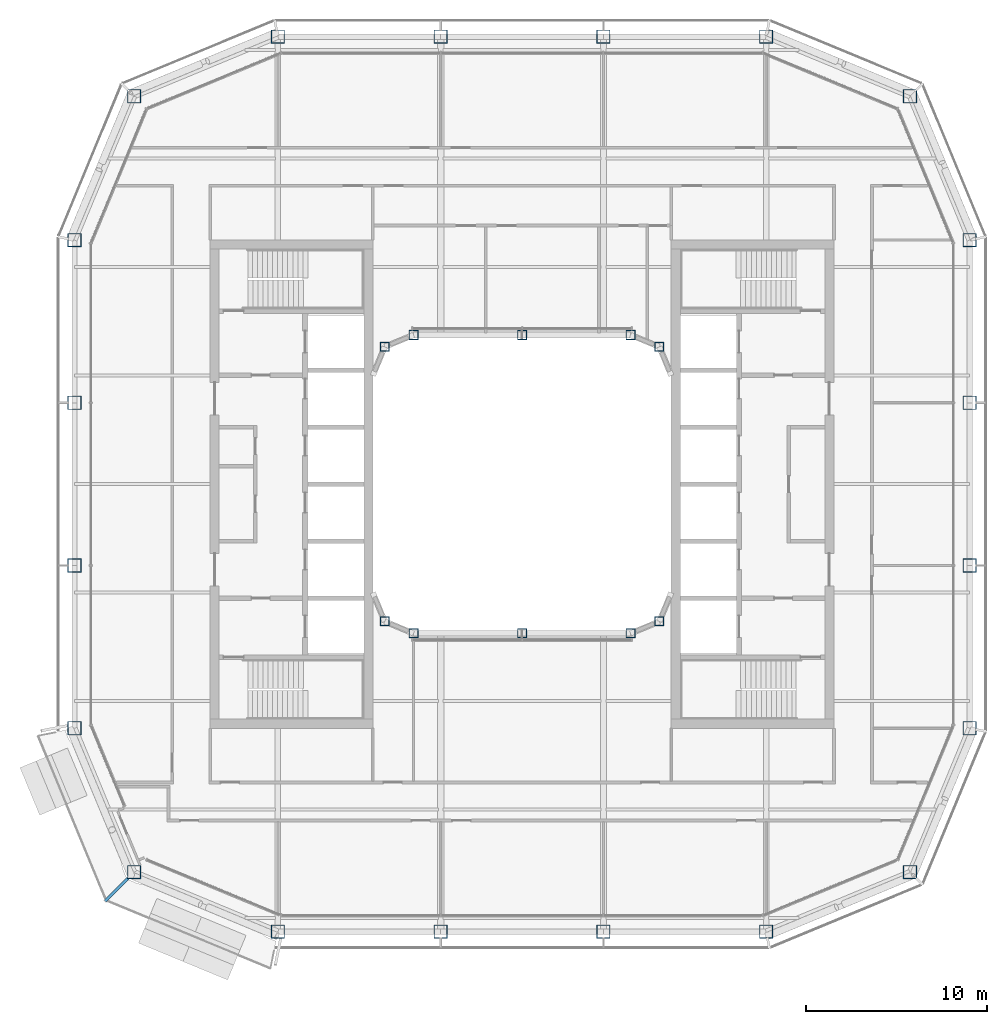
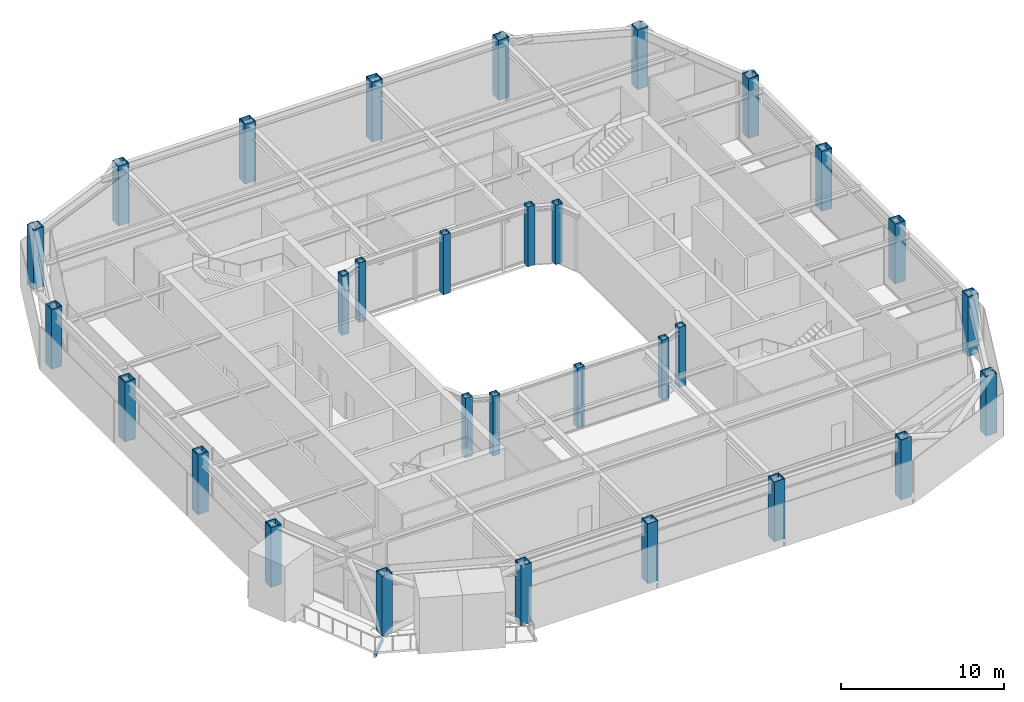
# One storey, part 1 of 20: 30 columns, 1 beam.
"""IFC4 building model written with IfcOpenShell, lengths in metres."""

from ifc_helpers import new_model, si_unit, direction, frame, origin, origin_2d, place, context, subcontext, project, spatial, hollow_rectangle, extrude, material, material_profile, profile_set, type_object, element, save


model = new_model("IFC4")

# Units and contexts
model_context = context("Model", 3, precision=1e-05, world=origin(), true_north=direction((0.0, 1.0)))
body_context = subcontext(model_context, "Body", "Model", "MODEL_VIEW")
ifc_project = project(units=[si_unit("LENGTHUNIT", "METRE"), si_unit("AREAUNIT", "SQUARE_METRE"), si_unit("VOLUMEUNIT", "CUBIC_METRE"), si_unit("PLANEANGLEUNIT", "RADIAN"), si_unit("MASSUNIT", "GRAM", prefix="KILO")], contexts=[model_context])

# Site, building, storey
site_placement = place(None, origin())
site = spatial("IfcSite", under=ifc_project, at=site_placement, CompositionType="ELEMENT")
building_placement = place(site_placement, origin())
building = spatial("IfcBuilding", under=site, at=building_placement, Name="Siwar Civic Tower", CompositionType="ELEMENT")
storey_placement = place(building_placement, frame((0.0, 0.0, 298.699951171875)))
storey = spatial("IfcBuildingStorey", under=building, at=storey_placement, Name="L64", CompositionType="ELEMENT", Elevation=298.699951171875)

# Columns
ifc_material_1 = material(Name="Steel S355", Category="steel")
ifc_material_profile_1 = material_profile(ifc_material_1, hollow_rectangle(XDim=0.75, YDim=0.75, WallThickness=0.0400390625, at=origin_2d()), Name="BOX750x750x40")
ifc_profile_set_1 = profile_set([ifc_material_profile_1], Name="Steel S355")
column_type_1 = type_object("IfcColumnType", Name="STR-COL-BOX750x750x40", PredefinedType="COLUMN", material=ifc_profile_set_1)
for number, where, z_axis, x_axis, name in (
    (1, (-13.5, -24.75, 0.0), (0.0, 0.0, 1.0), (1.0, 0.0, 0.0), "L64/col/S-0"),
    (2, (-4.5, -24.75, 0.0), (0.0, 0.0, 1.0), (1.0, 0.0, 0.0), "L64/col/S-1"),
    (3, (4.5, -24.75, 0.0), (0.0, 0.0, 1.0), (1.0, 0.0, 0.0), "L64/col/S-2"),
    (4, (13.5, -24.75, 0.0), (0.0, 0.0, 1.0), (1.0, 0.0, 0.0), "L64/col/SE1-0"),
    (5, (21.454833984375, -21.454833984375, 0.0), (0.0, 0.0, 1.0), (1.0, 0.0, 0.0), "L64/col/SE2-0"),
    (6, (24.75, -13.5, 0.0), (0.0, 0.0, 1.0), (1.0, 0.0, 0.0), "L64/col/E-0"),
    (7, (24.75, -4.5, 0.0), (0.0, 0.0, 1.0), (1.0, 0.0, 0.0), "L64/col/E-1"),
    (8, (24.75, 4.5, 0.0), (0.0, 0.0, 1.0), (1.0, 0.0, 0.0), "L64/col/E-2"),
    (9, (24.75, 13.5, 0.0), (0.0, 0.0, 1.0), (1.0, 0.0, 0.0), "L64/col/NE1-0"),
    (10, (21.454833984375, 21.454833984375, 0.0), (0.0, 0.0, 1.0), (1.0, 0.0, 0.0), "L64/col/NE2-0"),
    (11, (13.5, 24.75, 0.0), (0.0, 0.0, 1.0), (1.0, 0.0, 0.0), "L64/col/N-0"),
    (12, (4.5, 24.75, 0.0), (0.0, 0.0, 1.0), (1.0, 0.0, 0.0), "L64/col/N-1"),
    (13, (-4.5, 24.75, 0.0), (0.0, 0.0, 1.0), (1.0, 0.0, 0.0), "L64/col/N-2"),
    (14, (-13.5, 24.75, 0.0), (0.0, 0.0, 1.0), (1.0, 0.0, 0.0), "L64/col/NW1-0"),
    (15, (-21.454833984375, 21.454833984375, 0.0), (0.0, 0.0, 1.0), (1.0, 0.0, 0.0), "L64/col/NW2-0"),
    (16, (-24.75, 13.5, 0.0), (0.0, 0.0, 1.0), (1.0, 0.0, 0.0), "L64/col/W-0"),
    (17, (-24.75, 4.5, 0.0), (0.0, 0.0, 1.0), (1.0, 0.0, 0.0), "L64/col/W-1"),
    (18, (-24.75, -4.5, 0.0), (0.0, 0.0, 1.0), (1.0, 0.0, 0.0), "L64/col/W-2"),
    (19, (-24.75, -13.5, 0.0), (0.0, 0.0, 1.0), (1.0, 0.0, 0.0), "L64/col/SW1-0"),
    (20, (-21.454833984375, -21.454833984375, 0.0), (0.0, 0.0, 1.0), (1.0, 0.0, 0.0), "L64/col/SW2-0"),
):
    element("IfcColumn", number, at=place(storey_placement, frame(where, z_axis=z_axis, x_axis=x_axis)), inside=storey, type_object=column_type_1, Name=name, PredefinedType="COLUMN", context=body_context, shape_type="SweptSolid", body=[
        extrude(hollow_rectangle(XDim=0.75, YDim=0.75, WallThickness=0.0400390625, at=origin_2d()), origin(), (0.0, 0.0, 1.0), 4.5),
    ])
ifc_material_2 = material(Name="Steel S355", Category="steel")
ifc_material_profile_2 = material_profile(ifc_material_2, hollow_rectangle(XDim=0.5, YDim=0.5, WallThickness=0.02490234375, at=origin_2d()), Name="BOX500x500x25")
ifc_profile_set_2 = profile_set([ifc_material_profile_2], Name="Steel S355")
column_type_2 = type_object("IfcColumnType", Name="STR-ICOL-BOX500x500x25", PredefinedType="COLUMN", material=ifc_profile_set_2)
for number, where, z_axis, x_axis, name in (
    (21, (-7.591064453125, -7.591064453125, 0.0), (0.0, 0.0, 1.0), (1.0, 0.0, 0.0), "L64/col/IS-0"),
    (22, (-6.0, -8.25, 0.0), (0.0, 0.0, 1.0), (1.0, 0.0, 0.0), "L64/col/IS-1"),
    (23, (0.0, -8.25, 0.0), (0.0, 0.0, 1.0), (1.0, 0.0, 0.0), "L64/col/IS-2"),
    (24, (6.0, -8.25, 0.0), (0.0, 0.0, 1.0), (1.0, 0.0, 0.0), "L64/col/IS-3"),
    (25, (7.591064453125, -7.591064453125, 0.0), (0.0, 0.0, 1.0), (1.0, 0.0, 0.0), "L64/col/IS-4"),
    (26, (-7.591064453125, 7.591064453125, 0.0), (0.0, 0.0, 1.0), (1.0, 0.0, 0.0), "L64/col/IN-0"),
    (27, (-6.0, 8.25, 0.0), (0.0, 0.0, 1.0), (1.0, 0.0, 0.0), "L64/col/IN-1"),
    (28, (0.0, 8.25, 0.0), (0.0, 0.0, 1.0), (1.0, 0.0, 0.0), "L64/col/IN-2"),
    (29, (6.0, 8.25, 0.0), (0.0, 0.0, 1.0), (1.0, 0.0, 0.0), "L64/col/IN-3"),
    (30, (7.591064453125, 7.591064453125, 0.0), (0.0, 0.0, 1.0), (1.0, 0.0, 0.0), "L64/col/IN-4"),
):
    element("IfcColumn", number, at=place(storey_placement, frame(where, z_axis=z_axis, x_axis=x_axis)), inside=storey, type_object=column_type_2, Name=name, PredefinedType="COLUMN", context=body_context, shape_type="SweptSolid", body=[
        extrude(hollow_rectangle(XDim=0.5, YDim=0.5, WallThickness=0.02490234375, at=origin_2d()), origin(), (0.0, 0.0, 1.0), 4.5),
    ])

# Beam
ifc_material_3 = material(Name="Steel S355", Category="steel")
ifc_material_profile_3 = material_profile(ifc_material_3, hollow_rectangle(XDim=0.14990234375, YDim=0.25, WallThickness=0.010009765625, at=origin_2d()), Name="RHS250x150x10")
ifc_profile_set_3 = profile_set([ifc_material_profile_3], Name="Steel S355")
beam_type = type_object("IfcBeamType", Name="ENV-BALCONY ARM", PredefinedType="BEAM", material=ifc_profile_set_3)
beam_placement = place(storey_placement, frame((-21.794677734375, -21.794677734375, -0.27490234375), z_axis=(-0.707106781187, -0.707106781187, 0.0), x_axis=(0.707106781187, -0.707106781187, 0.0)))
element("IfcBeam", 31, at=beam_placement, inside=storey, type_object=beam_type, Name="Balcony cantilever beam SW 2", PredefinedType="BEAM", context=body_context, shape_type="SweptSolid", body=[
    extrude(hollow_rectangle(XDim=0.14990234375, YDim=0.25, WallThickness=0.010009765625, at=origin_2d()), origin(), (0.0, 0.0, 1.0), 1.792724609375),
])

save(model, "model.ifc")
